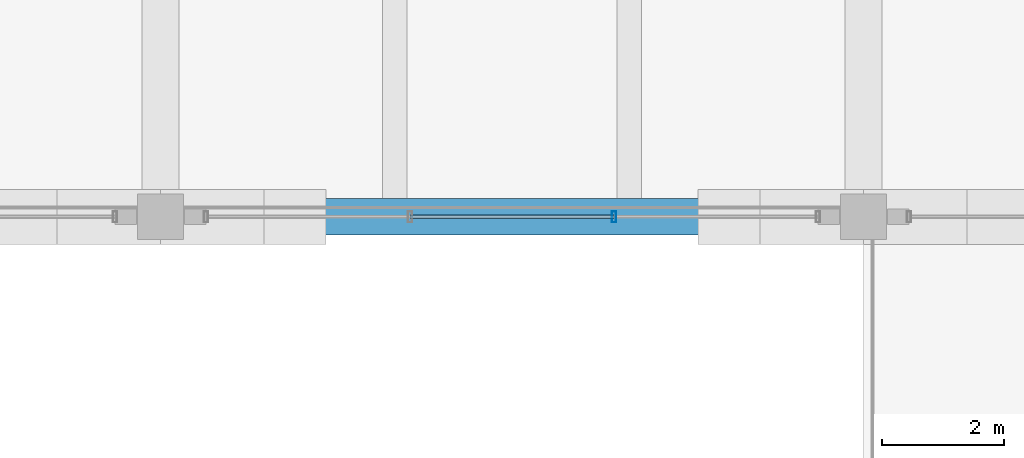
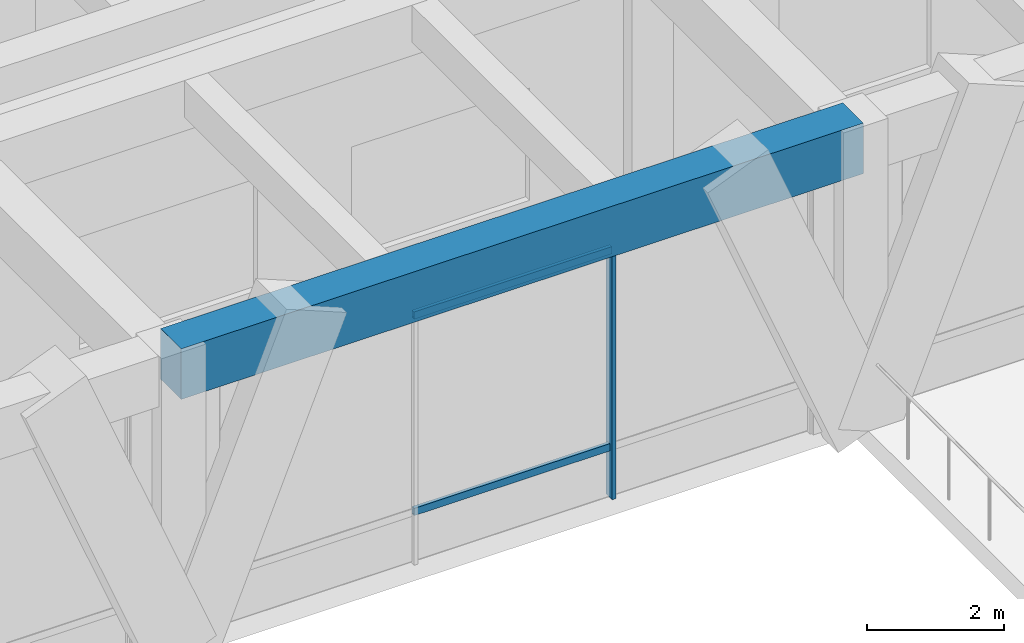
# One storey, part 50 of 148: 3 members, 1 beam, 1 element without a shape of its own.
"""IFC4 building model written with IfcOpenShell, lengths in metres."""

from ifc_helpers import new_model, si_unit, direction, frame, origin, origin_2d, place, context, subcontext, project, spatial, rectangle, hollow_rectangle, extrude, material, material_profile, profile_set, type_object, element, aggregate, save


model = new_model("IFC4")

# Units and contexts
model_context = context("Model", 3, precision=1e-05, world=origin(), true_north=direction((0.0, 1.0)))
body_context = subcontext(model_context, "Body", "Model", "MODEL_VIEW")
ifc_project = project(units=[si_unit("LENGTHUNIT", "METRE"), si_unit("AREAUNIT", "SQUARE_METRE"), si_unit("VOLUMEUNIT", "CUBIC_METRE"), si_unit("PLANEANGLEUNIT", "RADIAN"), si_unit("MASSUNIT", "GRAM", prefix="KILO")], contexts=[model_context])

# Site, building, storey
site_placement = place(None, origin())
site = spatial("IfcSite", under=ifc_project, at=site_placement, CompositionType="ELEMENT")
building_placement = place(site_placement, origin())
building = spatial("IfcBuilding", under=site, at=building_placement, Name="Ologun Quay Terminus", CompositionType="ELEMENT")
storey_placement = place(building_placement, frame((0.0, 0.0, 8.39990234375)))
storey = spatial("IfcBuildingStorey", under=building, at=storey_placement, Name="L02", CompositionType="ELEMENT", Elevation=8.39990234375)

# Curtain wall, members
ifc_material_1 = material(Name="Aluminium 6063-T6", Category="aluminium")
curtain_wall_type = type_object("IfcCurtainWallType", Name="Train Shed North Clerestory Curtain Wall 10700x4850", PredefinedType="USERDEFINED", material=ifc_material_1)
curtain_wall_placement = place(storey_placement, origin())
curtain_wall = element("IfcCurtainWall", 1, at=curtain_wall_placement, inside=storey, type_object=curtain_wall_type, Name="CW-09 Curtain Wall CW-L02-049", ObjectType="UNITISED CURTAIN WALL", PredefinedType="USERDEFINED")
ifc_material_2 = material(Name="Aluminium 6063-T6", Category="aluminium")
ifc_material_profile_1 = material_profile(ifc_material_2, hollow_rectangle(XDim=0.070068359375, YDim=0.179931640625, WallThickness=0.0048828125, at=origin_2d()), Name="ALU 180x70x5")
ifc_profile_set_1 = profile_set([ifc_material_profile_1], Name="Aluminium 6063-T6")
member_type_1 = type_object("IfcMemberType", Name="Concourse Clerestory Mullion 180x70", PredefinedType="MULLION", material=ifc_profile_set_1)
member_1_placement = place(storey_placement, frame((30.418212890625, 78.0, 0.0), z_axis=(0.0, 0.0, 1.0), x_axis=(1.0, 0.0, 0.0)))
member_1 = element("IfcMember", 2, at=member_1_placement, type_object=member_type_1, Name="CW-L02-049 Mullion 3", PredefinedType="MULLION", context=body_context, shape_type="SweptSolid", body=[
    extrude(hollow_rectangle(XDim=0.070068359375, YDim=0.179931640625, WallThickness=0.0048828125, at=origin_2d()), origin(), (0.0, 0.0, 1.0), 5.10009765625),
])
ifc_material_3 = material(Name="Aluminium 6063-T6", Category="aluminium")
ifc_material_profile_2 = material_profile(ifc_material_3, hollow_rectangle(XDim=0.06005859375, YDim=0.1298828125, WallThickness=0.00390625, at=origin_2d()), Name="ALU 130x60x4")
ifc_profile_set_2 = profile_set([ifc_material_profile_2], Name="Aluminium 6063-T6")
member_type_2 = type_object("IfcMemberType", Name="Concourse Clerestory Transom 130x60", PredefinedType="USERDEFINED", material=ifc_profile_set_2)
member_2_placement = place(storey_placement, frame((27.081787109375, 78.0, 0.900146484375), z_axis=(1.0, 0.0, 0.0), x_axis=(0.0, 1.0, 0.0)))
member_2 = element("IfcMember", 3, at=member_2_placement, type_object=member_type_2, Name="CW-L02-049 Transom B2-1", ObjectType="TRANSOM", PredefinedType="USERDEFINED", context=body_context, shape_type="SweptSolid", body=[
    extrude(hollow_rectangle(XDim=0.06005859375, YDim=0.1298828125, WallThickness=0.00390625, at=origin_2d()), origin(), (0.0, 0.0, 1.0), 3.33642578125),
])
member_3_placement = place(storey_placement, frame((27.081787109375, 78.0, 4.400146484375), z_axis=(1.0, 0.0, 0.0), x_axis=(0.0, 1.0, 0.0)))
member_3 = element("IfcMember", 4, at=member_3_placement, type_object=member_type_2, Name="CW-L02-049 Transom B2-2", ObjectType="TRANSOM", PredefinedType="USERDEFINED", context=body_context, shape_type="SweptSolid", body=[
    extrude(hollow_rectangle(XDim=0.06005859375, YDim=0.1298828125, WallThickness=0.00390625, at=origin_2d()), origin(), (0.0, 0.0, 1.0), 3.33642578125),
])
aggregate(curtain_wall, [member_1, member_2, member_3])

# Beam
ifc_material_4 = material(Name="Concrete C40/50", Category="concrete")
ifc_material_profile_3 = material_profile(ifc_material_4, rectangle(XDim=0.60009765625, YDim=0.89990234375, at=origin_2d()), Name="RC 600x900")
ifc_profile_set_3 = profile_set([ifc_material_profile_3], Name="Concrete C40/50")
beam_type = type_object("IfcBeamType", Name="Station Frame Girder 600x900", PredefinedType="BEAM", material=ifc_profile_set_3)
beam_placement = place(storey_placement, frame((23.0, 78.0, 4.9501953125), z_axis=(1.0, 0.0, 0.0), x_axis=(0.0, 1.0, 0.0)))
element("IfcBeam", 5, at=beam_placement, inside=storey, type_object=beam_type, Name="B3 Beam 3/F L02", PredefinedType="BEAM", context=body_context, shape_type="SweptSolid", body=[
    extrude(rectangle(XDim=0.60009765625, YDim=0.89990234375, at=origin_2d()), origin(), (0.0, 0.0, 1.0), 11.5),
])

save(model, "model.ifc")
